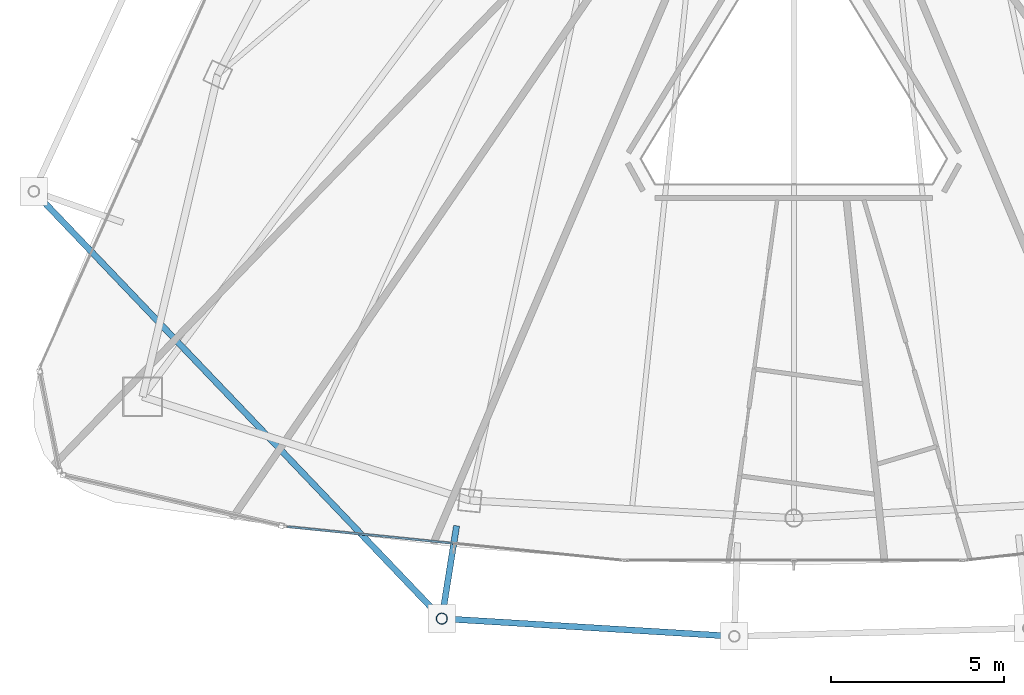
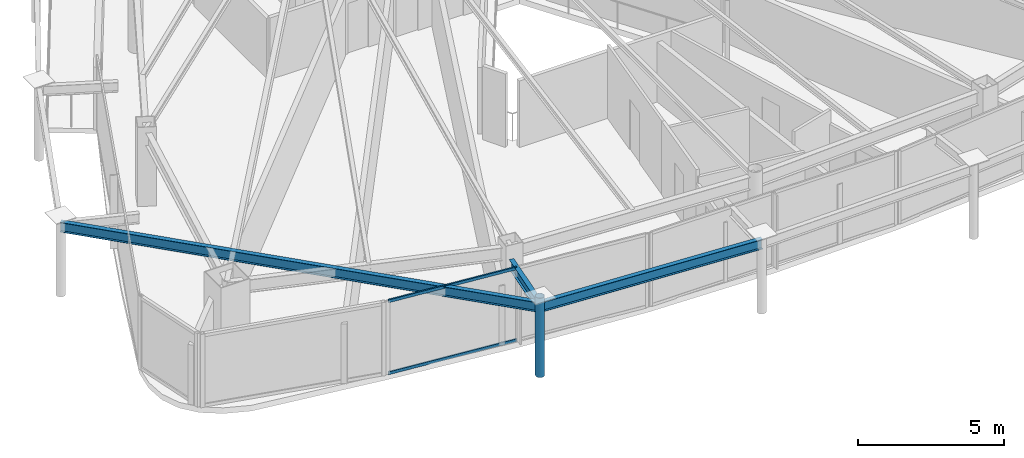
# One storey, part 3 of 28: 3 beams, 3 members, 1 element without a shape of its own.
"""IFC4 building model written with IfcOpenShell, lengths in metres."""

from ifc_helpers import new_model, si_unit, direction, frame, origin, origin_2d, place, context, subcontext, project, spatial, hollow_rectangle, hollow_circle, i_section, extrude, material, layer, layer_set, material_profile, profile_set, type_object, element, aggregate, save


model = new_model("IFC4")

# Units and contexts
model_context = context("Model", 3, precision=1e-05, world=origin(), true_north=direction((0.0, 1.0)))
body_context = subcontext(model_context, "Body", "Model", "MODEL_VIEW")
ifc_project = project(units=[si_unit("LENGTHUNIT", "METRE"), si_unit("AREAUNIT", "SQUARE_METRE"), si_unit("VOLUMEUNIT", "CUBIC_METRE"), si_unit("PLANEANGLEUNIT", "RADIAN"), si_unit("MASSUNIT", "GRAM", prefix="KILO")], contexts=[model_context])

# Site, building, storey
site_placement = place(None, origin())
site = spatial("IfcSite", under=ifc_project, at=site_placement, CompositionType="ELEMENT")
building_placement = place(site_placement, origin())
building = spatial("IfcBuilding", under=site, at=building_placement, Name="Orvanel Arch Residences", CompositionType="ELEMENT")
storey_placement = place(building_placement, frame((0.0, 0.0, 266.75)))
storey = spatial("IfcBuildingStorey", under=building, at=storey_placement, Name="L76", CompositionType="ELEMENT", Elevation=266.75)

# Beams
ifc_material_1 = material(Name="Structural steel AS/NZS 3679.1 Grade 300 (300 MPa)", Category="steel")
ifc_material_profile_1 = material_profile(ifc_material_1, i_section(OverallWidth=0.177978515625, OverallDepth=0.406005859375, WebThickness=0.0078125, FlangeThickness=0.0126953125, at=origin_2d()), Name="410UB59.7")
ifc_profile_set_1 = profile_set([ifc_material_profile_1], Name="Structural steel AS/NZS 3679.1 Grade 300 (300 MPa)")
beam_type = type_object("IfcBeamType", Name="OB-410UB-EXT", PredefinedType="SPANDREL", material=ifc_profile_set_1)
beam_1_placement = place(storey_placement, frame((11.05908203125, 16.277099609375, 2.85693359375), z_axis=(0.690641889192, -0.723196917093, 0.0), x_axis=(0.723196917093, 0.690641889192, 0.0)))
element("IfcBeam", 1, at=beam_1_placement, inside=storey, type_object=beam_type, Name="L76 Outer Perimeter Floor Ring Beam 04", PredefinedType="SPANDREL", context=body_context, shape_type="SweptSolid", body=[
    extrude(i_section(OverallWidth=0.177978515625, OverallDepth=0.406005859375, WebThickness=0.0078125, FlangeThickness=0.0126953125, at=origin_2d()), origin(), (0.0, 0.0, 1.0), 17.053466796875),
])
beam_2_placement = place(storey_placement, frame((23.263916015625, 6.6240234375, 2.85693359375), z_axis=(-0.157348363534, -0.987543159813, 0.0), x_axis=(0.987543159813, -0.157348363534, 0.0)))
element("IfcBeam", 2, at=beam_2_placement, inside=storey, type_object=beam_type, Name="L76 Outer Frame Radial Tie Beam 05", PredefinedType="SPANDREL", context=body_context, shape_type="SweptSolid", body=[
    extrude(i_section(OverallWidth=0.177978515625, OverallDepth=0.406005859375, WebThickness=0.0078125, FlangeThickness=0.0126953125, at=origin_2d()), origin(), (0.0, 0.0, 1.0), 2.713623046875),
])
beam_3_placement = place(storey_placement, frame((22.8369140625, 3.944091796875, 2.85693359375), z_axis=(0.998158343554, -0.06066235401, 0.0), x_axis=(0.06066235401, 0.998158343554, 0.0)))
element("IfcBeam", 3, at=beam_3_placement, inside=storey, type_object=beam_type, Name="L76 Outer Perimeter Floor Ring Beam 05", PredefinedType="SPANDREL", context=body_context, shape_type="SweptSolid", body=[
    extrude(i_section(OverallWidth=0.177978515625, OverallDepth=0.406005859375, WebThickness=0.0078125, FlangeThickness=0.0126953125, at=origin_2d()), origin(), (0.0, 0.0, 1.0), 8.459716796875),
])

# Member
ifc_material_2 = material(Name="Structural steel AS/NZS 1163 C350L0 (Grade 350)", Category="steel")
ifc_material_profile_2 = material_profile(ifc_material_2, hollow_circle(Radius=0.162109375, WallThickness=0.0126953125, at=origin_2d()), Name="CHS324x12.7")
ifc_profile_set_2 = profile_set([ifc_material_profile_2], Name="Structural steel AS/NZS 1163 C350L0 (Grade 350)")
member_type_1 = type_object("IfcMemberType", Name="ST-324CHS-EXT", PredefinedType="STRUT", material=ifc_profile_set_2)
member_1_placement = place(storey_placement, frame((22.8369140625, 3.944091796875, 0.0), z_axis=(0.0, 0.0, 1.0), x_axis=(1.0, 0.0, 0.0)))
element("IfcMember", 4, at=member_1_placement, inside=storey, type_object=member_type_1, Name="L76 Outer Perimeter Frame Post 05", PredefinedType="STRUT", context=body_context, shape_type="SweptSolid", body=[
    extrude(hollow_circle(Radius=0.162109375, WallThickness=0.0126953125, at=origin_2d()), origin(), (0.0, 0.0, 1.0), 3.300048828125),
])

# Curtain wall, members
ifc_material_3 = material(Name="Bronze-anodised aluminium AA6063-T6", Category="aluminium")
ifc_layer = layer(ifc_material_3, 0.175048828125)
ifc_layer_set = layer_set([ifc_layer], Name="Bronze-anodised aluminium AA6063-T6")
curtain_wall_type = type_object("IfcCurtainWallType", Name="CW4-HI-SYS", PredefinedType="NOTDEFINED", material=ifc_layer_set)
curtain_wall_placement = place(storey_placement, origin())
curtain_wall = element("IfcCurtainWall", 5, at=curtain_wall_placement, inside=storey, type_object=curtain_wall_type, Name="L76 CW4-HI-SYS Unitised Curtain Wall", PredefinedType="NOTDEFINED")
ifc_material_profile_3 = material_profile(ifc_material_3, hollow_rectangle(XDim=0.06005859375, YDim=0.1201171875, WallThickness=0.00341796875, at=origin_2d()), Name="ALU120x60x3.5")
ifc_profile_set_3 = profile_set([ifc_material_profile_3], Name="Bronze-anodised aluminium AA6063-T6")
member_type_2 = type_object("IfcMemberType", Name="TRN-120x60", PredefinedType="USERDEFINED", material=ifc_profile_set_3)
member_2_placement = place(storey_placement, frame((18.382568359375, 6.596435546875, 0.030029296875), z_axis=(0.9950089944, -0.099785274778, 0.0), x_axis=(0.099785274778, 0.9950089944, 0.0)))
member_2 = element("IfcMember", 6, at=member_2_placement, type_object=member_type_2, Name="CW-S4 transom 1.1", ObjectType="TRANSOM", PredefinedType="USERDEFINED", context=body_context, shape_type="SweptSolid", body=[
    extrude(hollow_rectangle(XDim=0.06005859375, YDim=0.1201171875, WallThickness=0.00341796875, at=origin_2d()), origin(), (0.0, 0.0, 1.0), 4.8076171875),
])
member_3_placement = place(storey_placement, frame((18.382568359375, 6.596435546875, 3.030029296875), z_axis=(0.9950089944, -0.099785274778, 0.0), x_axis=(0.099785274778, 0.9950089944, 0.0)))
member_3 = element("IfcMember", 7, at=member_3_placement, type_object=member_type_2, Name="CW-S4 transom 1.2", ObjectType="TRANSOM", PredefinedType="USERDEFINED", context=body_context, shape_type="SweptSolid", body=[
    extrude(hollow_rectangle(XDim=0.06005859375, YDim=0.1201171875, WallThickness=0.00341796875, at=origin_2d()), origin(), (0.0, 0.0, 1.0), 4.8076171875),
])
aggregate(curtain_wall, [member_2, member_3])

save(model, "model.ifc")
